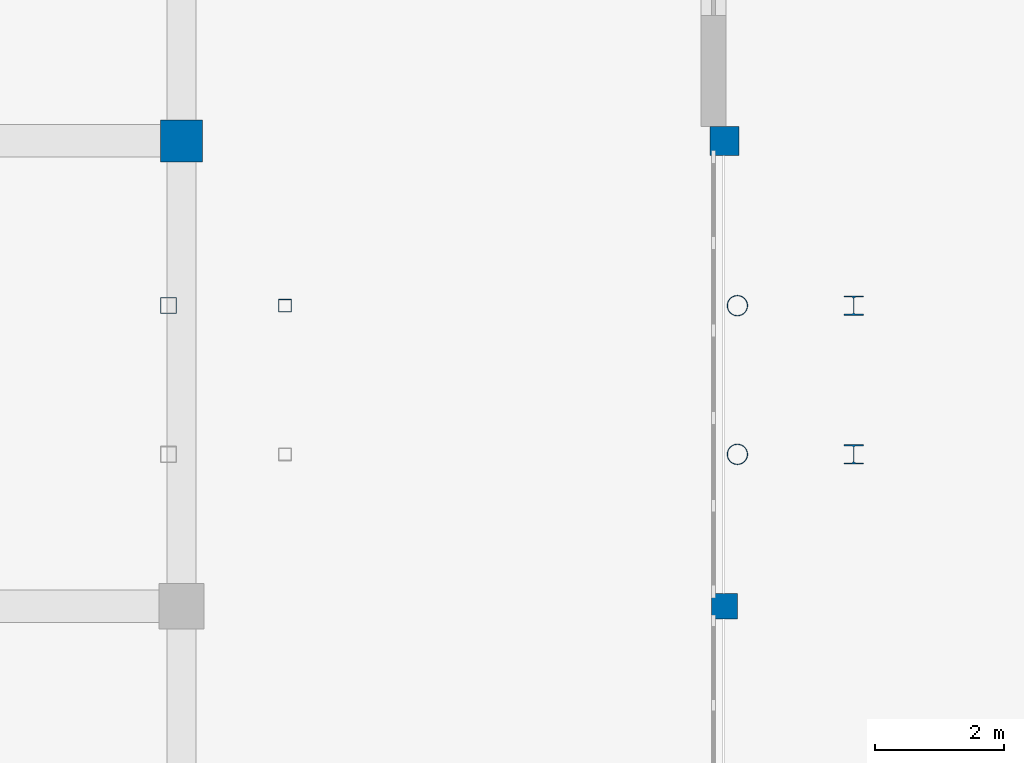
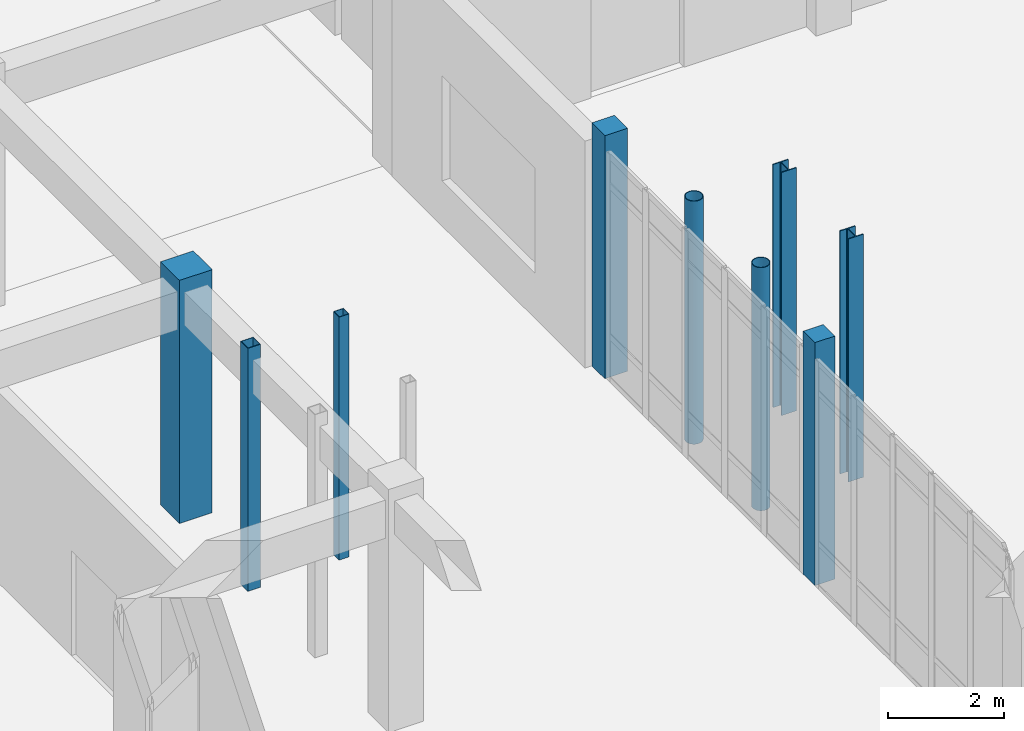
# One storey, part 24 of 121: 9 columns.
"""IFC4 building model written with IfcOpenShell, lengths in metres."""

from ifc_helpers import new_model, si_unit, direction, frame, origin, origin_2d, place, context, subcontext, project, spatial, rectangle, hollow_rectangle, hollow_circle, i_section, extrude, material, material_profile, profile_set, type_object, element, save


model = new_model("IFC4")

# Units and contexts
model_context = context("Model", 3, precision=1e-05, world=origin(), true_north=direction((0.0, 1.0)))
body_context = subcontext(model_context, "Body", "Model", "MODEL_VIEW")
ifc_project = project(units=[si_unit("LENGTHUNIT", "METRE"), si_unit("AREAUNIT", "SQUARE_METRE"), si_unit("VOLUMEUNIT", "CUBIC_METRE"), si_unit("PLANEANGLEUNIT", "RADIAN"), si_unit("MASSUNIT", "GRAM", prefix="KILO")], contexts=[model_context])

# Site, building, storey
site_placement = place(None, origin())
site = spatial("IfcSite", under=ifc_project, at=site_placement, CompositionType="ELEMENT")
building_placement = place(site_placement, origin())
building = spatial("IfcBuilding", under=site, at=building_placement, Name="Malvenik Polytechnic", CompositionType="ELEMENT")
storey_placement = place(building_placement, origin())
storey = spatial("IfcBuildingStorey", under=building, at=storey_placement, Name="L00", CompositionType="ELEMENT", Elevation=0.0)

# Columns
ifc_material_1 = material(Name="Concrete C35/45", Category="concrete")
ifc_material_profile_1 = material_profile(ifc_material_1, rectangle(XDim=0.64990234375, YDim=0.64990234375, at=origin_2d()), Name="RC COL 650x650")
ifc_profile_set_1 = profile_set([ifc_material_profile_1], Name="Concrete C35/45")
column_type_1 = type_object("IfcColumnType", Name="STR-COL-C-05", PredefinedType="COLUMN", material=ifc_profile_set_1)
column_1_placement = place(storey_placement, frame((84.0, 108.0, 0.0), z_axis=(0.0, 0.0, 1.0), x_axis=(1.0, 0.0, 0.0)))
element("IfcColumn", 1, at=column_1_placement, inside=storey, type_object=column_type_1, Name="Column C-05 L00 (84.0,108.0)", PredefinedType="COLUMN", context=body_context, shape_type="SweptSolid", body=[
    extrude(rectangle(XDim=0.64990234375, YDim=0.64990234375, at=origin_2d()), origin(), (0.0, 0.0, 1.0), 5.10009765625),
])
ifc_material_profile_2 = material_profile(ifc_material_1, rectangle(XDim=0.449951171875, YDim=0.449951171875, at=origin_2d()), Name="RC COL 450x450")
ifc_profile_set_2 = profile_set([ifc_material_profile_2], Name="Concrete C35/45")
column_type_2 = type_object("IfcColumnType", Name="STR-COL-C-09", PredefinedType="COLUMN", material=ifc_profile_set_2)
column_2_placement = place(storey_placement, frame((92.39990234375, 108.0, 0.0), z_axis=(0.0, 0.0, 1.0), x_axis=(1.0, 0.0, 0.0)))
element("IfcColumn", 2, at=column_2_placement, inside=storey, type_object=column_type_2, Name="Column C-09 L00 (92.4,108.0)", PredefinedType="COLUMN", context=body_context, shape_type="SweptSolid", body=[
    extrude(rectangle(XDim=0.449951171875, YDim=0.449951171875, at=origin_2d()), origin(), (0.0, 0.0, 1.0), 5.10009765625),
])
ifc_material_2 = material(Name="Concrete C30/37", Category="concrete")
ifc_material_profile_3 = material_profile(ifc_material_2, rectangle(XDim=0.39990234375, YDim=0.39990234375, at=origin_2d()), Name="RC COL 400x400")
ifc_profile_set_3 = profile_set([ifc_material_profile_3], Name="Concrete C30/37")
column_type_3 = type_object("IfcColumnType", Name="STR-COL-C-10", PredefinedType="COLUMN", material=ifc_profile_set_3)
column_3_placement = place(storey_placement, frame((92.39990234375, 100.800048828125, 0.0), z_axis=(0.0, 0.0, 1.0), x_axis=(1.0, 0.0, 0.0)))
element("IfcColumn", 3, at=column_3_placement, inside=storey, type_object=column_type_3, Name="Column C-10 L00 (92.4,100.8)", PredefinedType="COLUMN", context=body_context, shape_type="SweptSolid", body=[
    extrude(rectangle(XDim=0.39990234375, YDim=0.39990234375, at=origin_2d()), origin(), (0.0, 0.0, 1.0), 5.10009765625),
])
ifc_material_3 = material(Name="Steel S355J2H", Category="steel")
ifc_material_profile_4 = material_profile(ifc_material_3, hollow_rectangle(XDim=0.25, YDim=0.25, WallThickness=0.010009765625, at=origin_2d()), Name="SHS 250x250x10.0")
ifc_profile_set_4 = profile_set([ifc_material_profile_4], Name="Steel S355J2H")
column_type_4 = type_object("IfcColumnType", Name="STR-SCOL-SC-01", PredefinedType="COLUMN", material=ifc_profile_set_4)
column_4_placement = place(storey_placement, frame((83.800048828125, 105.449951171875, 0.0), z_axis=(0.0, 0.0, 1.0), x_axis=(1.0, 0.0, 0.0)))
element("IfcColumn", 4, at=column_4_placement, inside=storey, type_object=column_type_4, Name="Bridge-Ramp Support Column SC-01 L00", PredefinedType="COLUMN", context=body_context, shape_type="SweptSolid", body=[
    extrude(hollow_rectangle(XDim=0.25, YDim=0.25, WallThickness=0.010009765625, at=origin_2d()), origin(), (0.0, 0.0, 1.0), 5.10009765625),
])
ifc_material_profile_5 = material_profile(ifc_material_3, hollow_rectangle(XDim=0.199951171875, YDim=0.199951171875, WallThickness=0.010009765625, at=origin_2d()), Name="SHS 200x200x10.0")
ifc_profile_set_5 = profile_set([ifc_material_profile_5], Name="Steel S355J2H")
column_type_5 = type_object("IfcColumnType", Name="STR-SCOL-SC-02", PredefinedType="COLUMN", material=ifc_profile_set_5)
column_5_placement = place(storey_placement, frame((85.60009765625, 105.449951171875, 0.0), z_axis=(0.0, 0.0, 1.0), x_axis=(1.0, 0.0, 0.0)))
element("IfcColumn", 5, at=column_5_placement, inside=storey, type_object=column_type_5, Name="Bridge-Ramp Support Column SC-02 L00", PredefinedType="COLUMN", context=body_context, shape_type="SweptSolid", body=[
    extrude(hollow_rectangle(XDim=0.199951171875, YDim=0.199951171875, WallThickness=0.010009765625, at=origin_2d()), origin(), (0.0, 0.0, 1.0), 5.10009765625),
])
ifc_material_profile_6 = material_profile(ifc_material_3, hollow_circle(Radius=0.161865234375, WallThickness=0.012451171875, at=origin_2d()), Name="CHS 323.9x12.5")
ifc_profile_set_6 = profile_set([ifc_material_profile_6], Name="Steel S355J2H")
column_type_6 = type_object("IfcColumnType", Name="STR-SCOL-SC-04", PredefinedType="COLUMN", material=ifc_profile_set_6)
for number, where, z_axis, x_axis, name in (
    (6, (92.60009765625, 103.14990234375, 0.0), (0.0, 0.0, 1.0), (1.0, 0.0, 0.0), "Bridge-Ramp Support Column SC-04 L00"),
    (7, (92.60009765625, 105.449951171875, 0.0), (0.0, 0.0, 1.0), (1.0, 0.0, 0.0), "Bridge-Ramp Support Column SC-04 L00"),
):
    element("IfcColumn", number, at=place(storey_placement, frame(where, z_axis=z_axis, x_axis=x_axis)), inside=storey, type_object=column_type_6, Name=name, PredefinedType="COLUMN", context=body_context, shape_type="SweptSolid", body=[
        extrude(hollow_circle(Radius=0.161865234375, WallThickness=0.012451171875, at=origin_2d()), origin(), (0.0, 0.0, 1.0), 5.10009765625),
    ])
ifc_material_4 = material(Name="Steel S355", Category="steel")
ifc_material_profile_7 = material_profile(ifc_material_4, i_section(OverallWidth=0.300048828125, OverallDepth=0.300048828125, WebThickness=0.010986328125, FlangeThickness=0.01904296875, FilletRadius=0.027099609375, at=origin_2d()), Name="HEB 300")
ifc_profile_set_7 = profile_set([ifc_material_profile_7], Name="Steel S355")
column_type_7 = type_object("IfcColumnType", Name="STR-SCOL-SC-05", PredefinedType="COLUMN", material=ifc_profile_set_7)
for number, where, z_axis, x_axis, name in (
    (8, (94.39990234375, 103.14990234375, 0.0), (0.0, 0.0, 1.0), (1.0, 0.0, 0.0), "Bridge-Ramp Support Column SC-05 L00"),
    (9, (94.39990234375, 105.449951171875, 0.0), (0.0, 0.0, 1.0), (1.0, 0.0, 0.0), "Bridge-Ramp Support Column SC-05 L00"),
):
    element("IfcColumn", number, at=place(storey_placement, frame(where, z_axis=z_axis, x_axis=x_axis)), inside=storey, type_object=column_type_7, Name=name, PredefinedType="COLUMN", context=body_context, shape_type="SweptSolid", body=[
        extrude(i_section(OverallWidth=0.300048828125, OverallDepth=0.300048828125, WebThickness=0.010986328125, FlangeThickness=0.01904296875, FilletRadius=0.027099609375, at=origin_2d()), origin(), (0.0, 0.0, 1.0), 5.10009765625),
    ])

save(model, "model.ifc")
